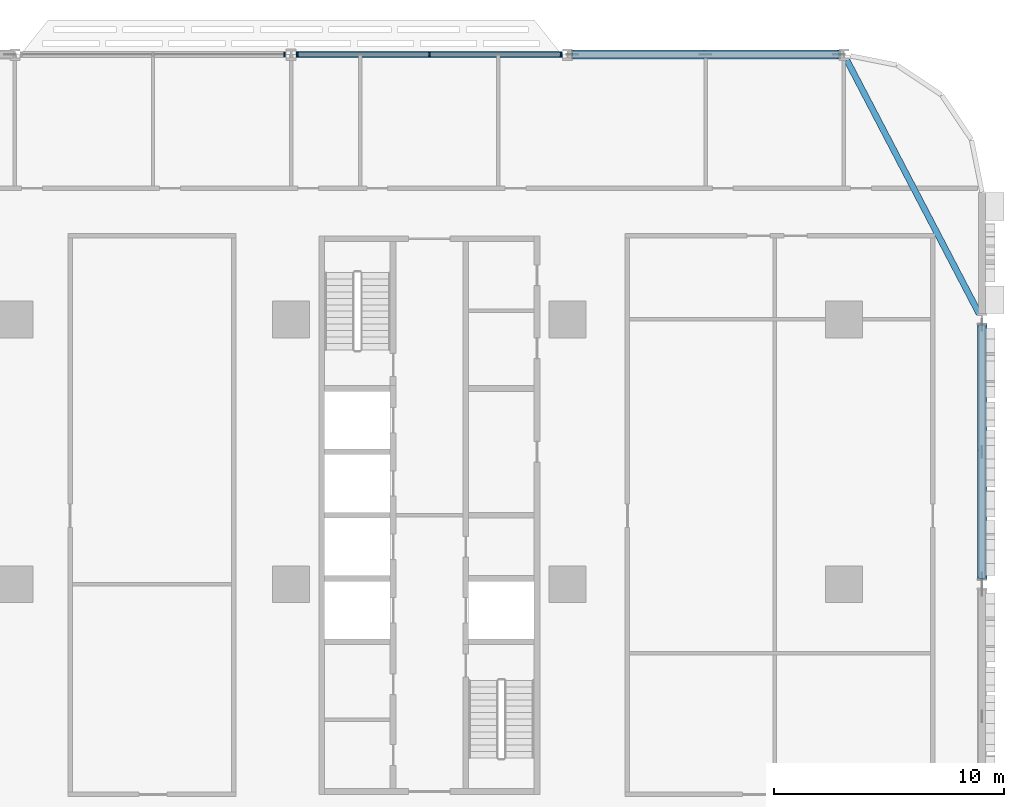
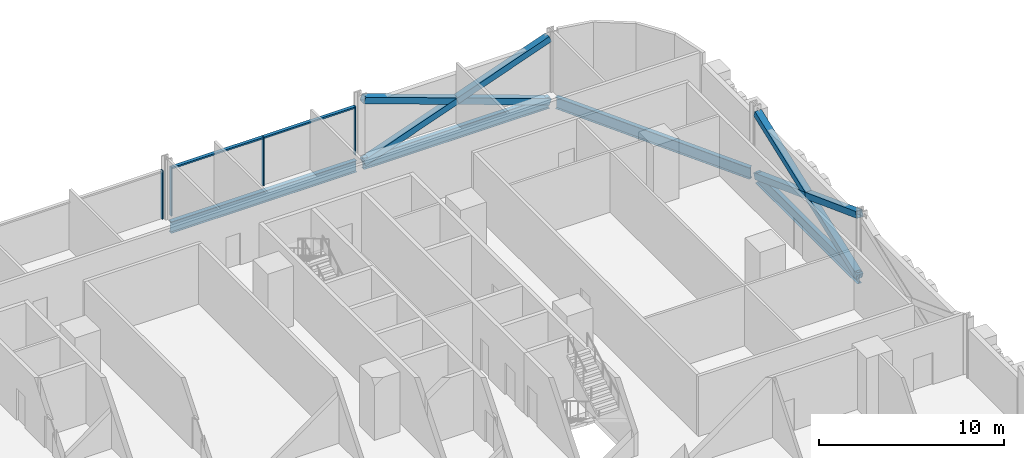
# One storey, part 8 of 28: 12 members, 4 beams, 2 elements without a shape of their own.
"""IFC4 building model written with IfcOpenShell, lengths in metres."""

from ifc_helpers import new_model, si_unit, direction, frame, origin, origin_2d, place, context, subcontext, project, spatial, rectangle, hollow_rectangle, i_section, extrude, material, material_profile, profile_set, type_object, element, aggregate, save


model = new_model("IFC4")

# Units and contexts
model_context = context("Model", 3, precision=1e-05, world=origin(), true_north=direction((0.0, 1.0)))
body_context = subcontext(model_context, "Body", "Model", "MODEL_VIEW")
ifc_project = project(units=[si_unit("LENGTHUNIT", "METRE"), si_unit("AREAUNIT", "SQUARE_METRE"), si_unit("VOLUMEUNIT", "CUBIC_METRE"), si_unit("PLANEANGLEUNIT", "RADIAN"), si_unit("MASSUNIT", "GRAM", prefix="KILO")], contexts=[model_context])

# Site, building, storey
site_placement = place(None, origin())
site = spatial("IfcSite", under=ifc_project, at=site_placement, CompositionType="ELEMENT")
building_placement = place(site_placement, origin())
building = spatial("IfcBuilding", under=site, at=building_placement, Name="Mahtab Terrace Research Tower", CompositionType="ELEMENT")
storey_placement = place(building_placement, frame((0.0, 0.0, 33.0)))
storey = spatial("IfcBuildingStorey", under=building, at=storey_placement, Name="L07", CompositionType="ELEMENT", Elevation=33.0)

# Members
ifc_material_1 = material(Name="Steel ASTM A500 Gr C", Category="steel")
ifc_material_profile_1 = material_profile(ifc_material_1, hollow_rectangle(XDim=0.406494140625, YDim=0.406494140625, WallThickness=0.01904296875, at=origin_2d()), Name="HSS16X16X3/4")
ifc_profile_set_1 = profile_set([ifc_material_profile_1], Name="Steel ASTM A500 Gr C")
member_type_1 = type_object("IfcMemberType", Name="HSS 16x16x3/4 brace XB161634", PredefinedType="BRACE", material=ifc_profile_set_1)
member_1_placement = place(storey_placement, frame((41.7841796875, 23.0, -0.64111328125), z_axis=(-0.941388097231, 0.0, 0.337325436917), x_axis=(0.0, -1.0, 0.0)))
element("IfcMember", 1, at=member_1_placement, inside=storey, type_object=member_type_1, Name="Exoskeleton brace L07 01 a", PredefinedType="BRACE", context=body_context, shape_type="SweptSolid", body=[
    extrude(hollow_rectangle(XDim=0.406494140625, YDim=0.406494140625, WallThickness=0.01904296875, at=origin_2d()), origin(), (0.0, 0.0, 1.0), 12.28857421875),
])
for number, where, z_axis, x_axis, name in (
    (2, (30.2158203125, 23.0, -0.64111328125), (0.941381788192, 0.0, 0.337343043295), (0.0, 1.0, 0.0), "Exoskeleton brace L07 01 b1"),
    (3, (36.0, 23.0, 1.431640625), (0.941394406025, 0.0, 0.337307830185), (0.0, 1.0, 0.0), "Exoskeleton brace L07 01 b2"),
):
    element("IfcMember", number, at=place(storey_placement, frame(where, z_axis=z_axis, x_axis=x_axis)), inside=storey, type_object=member_type_1, Name=name, PredefinedType="BRACE", context=body_context, shape_type="SweptSolid", body=[
        extrude(hollow_rectangle(XDim=0.406494140625, YDim=0.406494140625, WallThickness=0.01904296875, at=origin_2d()), origin(), (0.0, 0.0, 1.0), 6.144287109375),
    ])
member_2_placement = place(storey_placement, frame((48.0, 0.248779296875, -0.62548828125), z_axis=(0.0, 0.936661873217, 0.350234971499), x_axis=(-1.0, 0.0, 0.0)))
element("IfcMember", 4, at=member_2_placement, inside=storey, type_object=member_type_1, Name="Exoskeleton brace L07 21 a", PredefinedType="BRACE", context=body_context, shape_type="SweptSolid", body=[
    extrude(hollow_rectangle(XDim=0.406494140625, YDim=0.406494140625, WallThickness=0.01904296875, at=origin_2d()), origin(), (0.0, 0.0, 1.0), 11.746337890625),
])
for number, where, z_axis, x_axis, name in (
    (5, (48.0, 11.251220703125, -0.62548828125), (0.0, -0.936655054788, 0.350253206038), (1.0, 0.0, 0.0), "Exoskeleton brace L07 21 b1"),
    (6, (48.0, 5.75, 1.431640625), (0.0, -0.936668691391, 0.350216736563), (1.0, 0.0, 0.0), "Exoskeleton brace L07 21 b2"),
):
    element("IfcMember", number, at=place(storey_placement, frame(where, z_axis=z_axis, x_axis=x_axis)), inside=storey, type_object=member_type_1, Name=name, PredefinedType="BRACE", context=body_context, shape_type="SweptSolid", body=[
        extrude(hollow_rectangle(XDim=0.406494140625, YDim=0.406494140625, WallThickness=0.01904296875, at=origin_2d()), origin(), (0.0, 0.0, 1.0), 5.873291015625),
    ])

# Curtain wall, members
ifc_material_2 = material(Name="Laboratory ribbon curtain wall")
curtain_wall_type = type_object("IfcCurtainWallType", Name="Laboratory ribbon curtain wall", PredefinedType="NOTDEFINED", material=ifc_material_2)
curtain_wall_1_placement = place(storey_placement, origin())
curtain_wall_1 = element("IfcCurtainWall", 7, at=curtain_wall_1_placement, inside=storey, type_object=curtain_wall_type, Name="EN.L07.3.4", PredefinedType="NOTDEFINED")
ifc_material_3 = material(Name="Natural anodised aluminium", Category="aluminium")
ifc_material_profile_2 = material_profile(ifc_material_3, rectangle(XDim=0.199951171875, YDim=0.06494140625, at=origin_2d()), Name="MULLION 65x200")
ifc_profile_set_2 = profile_set([ifc_material_profile_2], Name="Natural anodised aluminium")
member_type_2 = type_object("IfcMemberType", Name="Laboratory ribbon curtain wall mullion", PredefinedType="MULLION", material=ifc_profile_set_2)
member_3_placement = place(storey_placement, frame((29.718505859375, 23.0, 0.0), z_axis=(0.0, 0.0, 1.0), x_axis=(0.0, -1.0, 0.0)))
member_3 = element("IfcMember", 8, at=member_3_placement, type_object=member_type_2, Name="CWL-1 mullion 1", PredefinedType="MULLION", context=body_context, shape_type="SweptSolid", body=[
    extrude(rectangle(XDim=0.199951171875, YDim=0.06494140625, at=origin_2d()), origin(), (0.0, 0.0, 1.0), 3.203125),
])
member_4_placement = place(storey_placement, frame((24.0, 23.0, 0.0), z_axis=(0.0, 0.0, 1.0), x_axis=(0.0, -1.0, 0.0)))
member_4 = element("IfcMember", 9, at=member_4_placement, type_object=member_type_2, Name="CWL-1 mullion 2", PredefinedType="MULLION", context=body_context, shape_type="SweptSolid", body=[
    extrude(rectangle(XDim=0.199951171875, YDim=0.06494140625, at=origin_2d()), origin(), (0.0, 0.0, 1.0), 3.203125),
])
member_5_placement = place(storey_placement, frame((18.281494140625, 23.0, 0.0), z_axis=(0.0, 0.0, 1.0), x_axis=(0.0, -1.0, 0.0)))
member_5 = element("IfcMember", 10, at=member_5_placement, type_object=member_type_2, Name="CWL-1 mullion 3", PredefinedType="MULLION", context=body_context, shape_type="SweptSolid", body=[
    extrude(rectangle(XDim=0.199951171875, YDim=0.06494140625, at=origin_2d()), origin(), (0.0, 0.0, 1.0), 3.203125),
])

# Curtain wall, member
curtain_wall_2_placement = place(storey_placement, origin())
curtain_wall_2 = element("IfcCurtainWall", 11, at=curtain_wall_2_placement, inside=storey, type_object=curtain_wall_type, Name="EN.L07.3.5", PredefinedType="NOTDEFINED")
member_6_placement = place(storey_placement, frame((17.718505859375, 23.0, 0.0), z_axis=(0.0, 0.0, 1.0), x_axis=(0.0, -1.0, 0.0)))
member_6 = element("IfcMember", 12, at=member_6_placement, type_object=member_type_2, Name="CWL-1 mullion 1", PredefinedType="MULLION", context=body_context, shape_type="SweptSolid", body=[
    extrude(rectangle(XDim=0.199951171875, YDim=0.06494140625, at=origin_2d()), origin(), (0.0, 0.0, 1.0), 3.203125),
])
aggregate(curtain_wall_2, [member_6])

# Member
ifc_material_profile_3 = material_profile(ifc_material_3, rectangle(XDim=0.199951171875, YDim=0.10009765625, at=origin_2d()), Name="TRANSOM 100x200")
ifc_profile_set_3 = profile_set([ifc_material_profile_3], Name="Natural anodised aluminium")
member_type_3 = type_object("IfcMemberType", Name="Laboratory ribbon curtain wall transom", PredefinedType="USERDEFINED", material=ifc_profile_set_3)
member_7_placement = place(storey_placement, frame((29.68603515625, 23.0, 3.153076171875), z_axis=(-1.0, 0.0, 0.0), x_axis=(0.0, -1.0, 0.0)))
member_7 = element("IfcMember", 13, at=member_7_placement, type_object=member_type_3, Name="CWL-1 transom 1", ObjectType="TRANSOM", PredefinedType="USERDEFINED", context=body_context, shape_type="SweptSolid", body=[
    extrude(rectangle(XDim=0.199951171875, YDim=0.10009765625, at=origin_2d()), origin(), (0.0, 0.0, 1.0), 5.653564453125),
])

member_8_placement = place(storey_placement, frame((23.967529296875, 23.0, 3.153076171875), z_axis=(-1.0, 0.0, 0.0), x_axis=(0.0, -1.0, 0.0)))
member_8 = element("IfcMember", 14, at=member_8_placement, type_object=member_type_3, Name="CWL-1 transom 2", ObjectType="TRANSOM", PredefinedType="USERDEFINED", context=body_context, shape_type="SweptSolid", body=[
    extrude(rectangle(XDim=0.199951171875, YDim=0.10009765625, at=origin_2d()), origin(), (0.0, 0.0, 1.0), 5.653564453125),
])

aggregate(curtain_wall_1, [member_3, member_4, member_5, member_7, member_8])

# Beams
ifc_material_4 = material(Name="Steel ASTM A992 Gr 50", Category="steel")
ifc_material_profile_4 = material_profile(ifc_material_4, i_section(OverallWidth=0.2666015625, OverallDepth=0.7568359375, WebThickness=0.013916015625, FlangeThickness=0.019287109375, at=origin_2d()), Name="W30X108")
ifc_profile_set_4 = profile_set([ifc_material_profile_4], Name="Steel ASTM A992 Gr 50")
beam_type = type_object("IfcBeamType", Name="W30x108 beam BS30108", PredefinedType="BEAM", material=ifc_profile_set_4)
for number, where, z_axis, x_axis, name in (
    (15, (41.7841796875, 23.0, -0.718505859375), (-1.0, 0.0, 0.0), (0.0, -1.0, 0.0), "Spandrel beam L07 01"),
    (16, (29.7841796875, 23.0, -0.718505859375), (-1.0, 0.0, 0.0), (0.0, -1.0, 0.0), "Spandrel beam L07 02"),
):
    element("IfcBeam", number, at=place(storey_placement, frame(where, z_axis=z_axis, x_axis=x_axis)), inside=storey, type_object=beam_type, Name=name, PredefinedType="BEAM", context=body_context, shape_type="SweptSolid", body=[
        extrude(i_section(OverallWidth=0.2666015625, OverallDepth=0.7568359375, WebThickness=0.013916015625, FlangeThickness=0.019287109375, at=origin_2d()), origin(), (0.0, 0.0, 1.0), 11.568359375),
    ])
beam_1_placement = place(storey_placement, frame((48.0, 0.248779296875, -0.718505859375), z_axis=(0.0, 1.0, 0.0), x_axis=(-1.0, 0.0, 0.0)))
element("IfcBeam", 17, at=beam_1_placement, inside=storey, type_object=beam_type, Name="Spandrel beam L07 21", PredefinedType="BEAM", context=body_context, shape_type="SweptSolid", body=[
    extrude(i_section(OverallWidth=0.2666015625, OverallDepth=0.7568359375, WebThickness=0.013916015625, FlangeThickness=0.019287109375, at=origin_2d()), origin(), (0.0, 0.0, 1.0), 11.00244140625),
])
beam_2_placement = place(storey_placement, frame((47.8701171875, 11.748779296875, -0.718505859375), z_axis=(-0.462555249274, 0.88659045865, 0.0), x_axis=(-0.88659045865, -0.462555249274, 0.0)))
element("IfcBeam", 18, at=beam_2_placement, inside=storey, type_object=beam_type, Name="Spandrel beam L07 22", PredefinedType="BEAM", context=body_context, shape_type="SweptSolid", body=[
    extrude(i_section(OverallWidth=0.2666015625, OverallDepth=0.7568359375, WebThickness=0.013916015625, FlangeThickness=0.019287109375, at=origin_2d()), origin(), (0.0, 0.0, 1.0), 12.409912109375),
])

save(model, "model.ifc")
